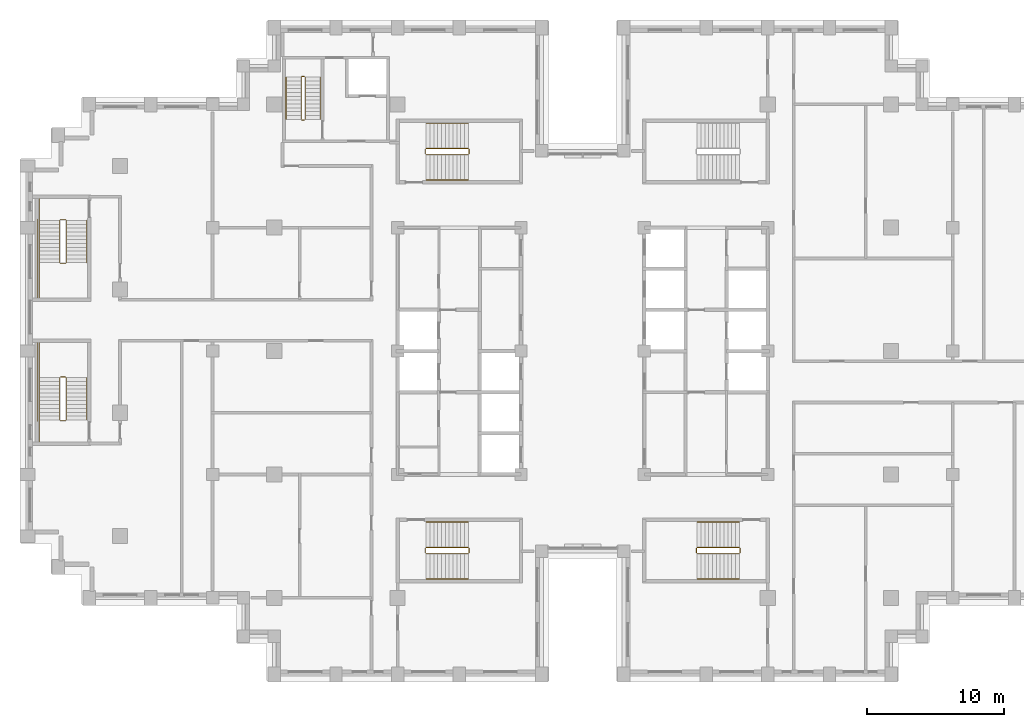
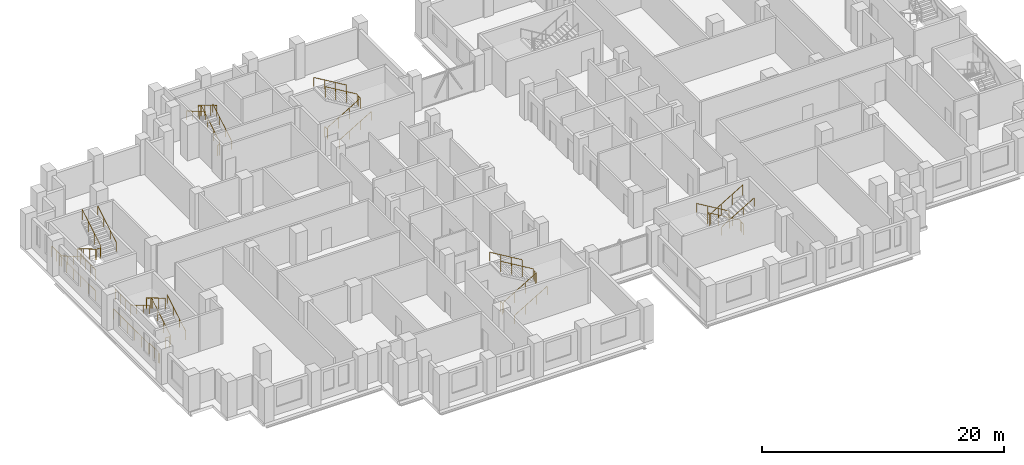
# One storey, part 15 of 16: 6 railings.
"""IFC4 building model written with IfcOpenShell, lengths in metres."""

from ifc_helpers import new_model, si_unit, direction, frame, origin, origin_2d, place, context, subcontext, project, spatial, circle, extrude, material, type_object, element, save


model = new_model("IFC4")

# Units and contexts
model_context = context("Model", 3, precision=1e-05, world=origin(), true_north=direction((0.0, 1.0)))
body_context = subcontext(model_context, "Body", "Model", "MODEL_VIEW")
ifc_project = project(units=[si_unit("LENGTHUNIT", "METRE"), si_unit("AREAUNIT", "SQUARE_METRE"), si_unit("VOLUMEUNIT", "CUBIC_METRE"), si_unit("PLANEANGLEUNIT", "RADIAN"), si_unit("MASSUNIT", "GRAM", prefix="KILO")], contexts=[model_context])

# Site, building, storey
site_placement = place(None, origin())
site = spatial("IfcSite", under=ifc_project, at=site_placement, CompositionType="ELEMENT")
building_placement = place(site_placement, origin())
building = spatial("IfcBuilding", under=site, at=building_placement, Name="Corbelhall Arena Tower", CompositionType="ELEMENT")
storey_placement = place(building_placement, frame((0.0, 0.0, 174.0)))
storey = spatial("IfcBuildingStorey", under=building, at=storey_placement, Name="L35", CompositionType="ELEMENT", Elevation=174.0)

# Railings
ifc_material = material(Name="Steel ASTM A500 Gr C", Category="steel")
railing_type = type_object("IfcRailingType", Name="IN-GD-1100", PredefinedType="GUARDRAIL", material=ifc_material)
railing_1_placement = place(storey_placement, frame((-11.425048828125, 14.324951171875, 0.166748046875)))
element("IfcRailing", 1, at=railing_1_placement, inside=storey, type_object=railing_type, Name="L35 ST1 stair guards and handrails", PredefinedType="GUARDRAIL", context=body_context, shape_type="SweptSolid", body=[
    extrude(circle(Radius=0.02392578125, at=origin_2d()), frame((0.0, 0.0, 1.076171875), z_axis=(0.859308565015, 0.0, 0.511457515432), x_axis=(0.0, 1.0, 0.0)), (0.0, 0.0, 1.0), 3.58447265625),
    extrude(circle(Radius=0.02392578125, at=origin_2d()), frame((3.130126953125, 0.050048828125, 2.9091796875), z_axis=(0.0, 1.0, 0.0), x_axis=(-1.0, 0.0, 0.0)), (0.0, 0.0, 1.0), 0.35009765625),
    extrude(circle(Radius=0.02392578125, at=origin_2d()), frame((3.080078125, 0.449951171875, 3.076171875), z_axis=(-0.859308565015, 0.0, 0.511457515432), x_axis=(0.0, -1.0, 0.0)), (0.0, 0.0, 1.0), 3.58447265625),
    extrude(circle(Radius=0.02392578125, at=origin_2d()), frame((-0.050048828125, 0.050048828125, 0.9091796875), z_axis=(0.0, 1.0, 0.0), x_axis=(-1.0, 0.0, 0.0)), (0.0, 0.0, 1.0), 0.35009765625),
    extrude(circle(Radius=0.02392578125, at=origin_2d()), frame((0.0, -1.849853515625, 0.8759765625), z_axis=(0.859308565015, 0.0, 0.511457515432), x_axis=(0.0, 1.0, 0.0)), (0.0, 0.0, 1.0), 3.58447265625),
    extrude(circle(Radius=0.02392578125, at=origin_2d()), frame((3.080078125, 2.300048828125, 2.8759765625), z_axis=(-0.859308565015, 0.0, 0.511457515432), x_axis=(0.0, -1.0, 0.0)), (0.0, 0.0, 1.0), 3.58447265625),
    extrude(circle(Radius=0.02099609375, at=origin_2d()), origin(), (0.0, 0.0, 1.0), 1.052001953125),
    extrude(circle(Radius=0.02099609375, at=origin_2d()), frame((1.026611328125, 0.0, 0.611083984375)), (0.0, 0.0, 1.0), 1.052001953125),
    extrude(circle(Radius=0.02099609375, at=origin_2d()), frame((2.053466796875, 0.0, 1.22216796875)), (0.0, 0.0, 1.0), 1.052001953125),
    extrude(circle(Radius=0.02099609375, at=origin_2d()), frame((3.080078125, 0.0, 1.833251953125)), (0.0, 0.0, 1.0), 1.052001953125),
    extrude(circle(Radius=0.02099609375, at=origin_2d()), frame((3.130126953125, 0.050048828125, 1.833251953125)), (0.0, 0.0, 1.0), 1.052001953125),
    extrude(circle(Radius=0.02099609375, at=origin_2d()), frame((3.130126953125, 0.400146484375, 1.833251953125)), (0.0, 0.0, 1.0), 1.052001953125),
    extrude(circle(Radius=0.02099609375, at=origin_2d()), frame((3.080078125, 0.449951171875, 2.0)), (0.0, 0.0, 1.0), 1.052001953125),
    extrude(circle(Radius=0.02099609375, at=origin_2d()), frame((2.053466796875, 0.449951171875, 2.611083984375)), (0.0, 0.0, 1.0), 1.052001953125),
    extrude(circle(Radius=0.02099609375, at=origin_2d()), frame((1.026611328125, 0.449951171875, 3.22216796875)), (0.0, 0.0, 1.0), 1.052001953125),
    extrude(circle(Radius=0.02099609375, at=origin_2d()), frame((0.0, 0.449951171875, 3.833251953125)), (0.0, 0.0, 1.0), 1.052001953125),
    extrude(circle(Radius=0.02099609375, at=origin_2d()), frame((-0.050048828125, 0.050048828125, -0.166748046875)), (0.0, 0.0, 1.0), 1.052001953125),
    extrude(circle(Radius=0.02099609375, at=origin_2d()), frame((-0.050048828125, 0.400146484375, -0.166748046875)), (0.0, 0.0, 1.0), 1.052001953125),
    extrude(circle(Radius=0.02099609375, at=origin_2d()), frame((0.0, -1.849853515625, 0.0)), (0.0, 0.0, 1.0), 0.851806640625),
    extrude(circle(Radius=0.02099609375, at=origin_2d()), frame((1.026611328125, -1.849853515625, 0.611083984375)), (0.0, 0.0, 1.0), 0.851806640625),
    extrude(circle(Radius=0.02099609375, at=origin_2d()), frame((2.053466796875, -1.849853515625, 1.22216796875)), (0.0, 0.0, 1.0), 0.851806640625),
    extrude(circle(Radius=0.02099609375, at=origin_2d()), frame((3.080078125, -1.849853515625, 1.833251953125)), (0.0, 0.0, 1.0), 0.851806640625),
    extrude(circle(Radius=0.02099609375, at=origin_2d()), frame((3.080078125, 2.300048828125, 2.0)), (0.0, 0.0, 1.0), 0.851806640625),
    extrude(circle(Radius=0.02099609375, at=origin_2d()), frame((2.053466796875, 2.300048828125, 2.611083984375)), (0.0, 0.0, 1.0), 0.851806640625),
    extrude(circle(Radius=0.02099609375, at=origin_2d()), frame((1.026611328125, 2.300048828125, 3.22216796875)), (0.0, 0.0, 1.0), 0.851806640625),
    extrude(circle(Radius=0.02099609375, at=origin_2d()), frame((0.0, 2.300048828125, 3.833251953125)), (0.0, 0.0, 1.0), 0.851806640625),
])
railing_2_placement = place(storey_placement, frame((-11.425048828125, -14.77490234375, 0.166748046875)))
element("IfcRailing", 2, at=railing_2_placement, inside=storey, type_object=railing_type, Name="L35 ST2 stair guards and handrails", PredefinedType="GUARDRAIL", context=body_context, shape_type="SweptSolid", body=[
    extrude(circle(Radius=0.02392578125, at=origin_2d()), frame((0.0, 0.0, 1.076171875), z_axis=(0.859308565015, 0.0, 0.511457515432), x_axis=(0.0, 1.0, 0.0)), (0.0, 0.0, 1.0), 3.58447265625),
    extrude(circle(Radius=0.02392578125, at=origin_2d()), frame((3.130126953125, 0.0498046875, 2.9091796875), z_axis=(0.0, 1.0, 0.0), x_axis=(-1.0, 0.0, 0.0)), (0.0, 0.0, 1.0), 0.35009765625),
    extrude(circle(Radius=0.02392578125, at=origin_2d()), frame((3.080078125, 0.449951171875, 3.076171875), z_axis=(-0.859308565015, 0.0, 0.511457515432), x_axis=(0.0, -1.0, 0.0)), (0.0, 0.0, 1.0), 3.58447265625),
    extrude(circle(Radius=0.02392578125, at=origin_2d()), frame((-0.050048828125, 0.0498046875, 0.9091796875), z_axis=(0.0, 1.0, 0.0), x_axis=(-1.0, 0.0, 0.0)), (0.0, 0.0, 1.0), 0.35009765625),
    extrude(circle(Radius=0.02392578125, at=origin_2d()), frame((0.0, -1.85009765625, 0.8759765625), z_axis=(0.859308565015, 0.0, 0.511457515432), x_axis=(0.0, 1.0, 0.0)), (0.0, 0.0, 1.0), 3.58447265625),
    extrude(circle(Radius=0.02392578125, at=origin_2d()), frame((3.080078125, 2.2998046875, 2.8759765625), z_axis=(-0.859308565015, 0.0, 0.511457515432), x_axis=(0.0, -1.0, 0.0)), (0.0, 0.0, 1.0), 3.58447265625),
    extrude(circle(Radius=0.02099609375, at=origin_2d()), origin(), (0.0, 0.0, 1.0), 1.052001953125),
    extrude(circle(Radius=0.02099609375, at=origin_2d()), frame((1.026611328125, 0.0, 0.611083984375)), (0.0, 0.0, 1.0), 1.052001953125),
    extrude(circle(Radius=0.02099609375, at=origin_2d()), frame((2.053466796875, 0.0, 1.22216796875)), (0.0, 0.0, 1.0), 1.052001953125),
    extrude(circle(Radius=0.02099609375, at=origin_2d()), frame((3.080078125, 0.0, 1.833251953125)), (0.0, 0.0, 1.0), 1.052001953125),
    extrude(circle(Radius=0.02099609375, at=origin_2d()), frame((3.130126953125, 0.0498046875, 1.833251953125)), (0.0, 0.0, 1.0), 1.052001953125),
    extrude(circle(Radius=0.02099609375, at=origin_2d()), frame((3.130126953125, 0.39990234375, 1.833251953125)), (0.0, 0.0, 1.0), 1.052001953125),
    extrude(circle(Radius=0.02099609375, at=origin_2d()), frame((3.080078125, 0.449951171875, 2.0)), (0.0, 0.0, 1.0), 1.052001953125),
    extrude(circle(Radius=0.02099609375, at=origin_2d()), frame((2.053466796875, 0.449951171875, 2.611083984375)), (0.0, 0.0, 1.0), 1.052001953125),
    extrude(circle(Radius=0.02099609375, at=origin_2d()), frame((1.026611328125, 0.449951171875, 3.22216796875)), (0.0, 0.0, 1.0), 1.052001953125),
    extrude(circle(Radius=0.02099609375, at=origin_2d()), frame((0.0, 0.449951171875, 3.833251953125)), (0.0, 0.0, 1.0), 1.052001953125),
    extrude(circle(Radius=0.02099609375, at=origin_2d()), frame((-0.050048828125, 0.0498046875, -0.166748046875)), (0.0, 0.0, 1.0), 1.052001953125),
    extrude(circle(Radius=0.02099609375, at=origin_2d()), frame((-0.050048828125, 0.39990234375, -0.166748046875)), (0.0, 0.0, 1.0), 1.052001953125),
    extrude(circle(Radius=0.02099609375, at=origin_2d()), frame((0.0, -1.85009765625, 0.0)), (0.0, 0.0, 1.0), 0.851806640625),
    extrude(circle(Radius=0.02099609375, at=origin_2d()), frame((1.026611328125, -1.85009765625, 0.611083984375)), (0.0, 0.0, 1.0), 0.851806640625),
    extrude(circle(Radius=0.02099609375, at=origin_2d()), frame((2.053466796875, -1.85009765625, 1.22216796875)), (0.0, 0.0, 1.0), 0.851806640625),
    extrude(circle(Radius=0.02099609375, at=origin_2d()), frame((3.080078125, -1.85009765625, 1.833251953125)), (0.0, 0.0, 1.0), 0.851806640625),
    extrude(circle(Radius=0.02099609375, at=origin_2d()), frame((3.080078125, 2.2998046875, 2.0)), (0.0, 0.0, 1.0), 0.851806640625),
    extrude(circle(Radius=0.02099609375, at=origin_2d()), frame((2.053466796875, 2.2998046875, 2.611083984375)), (0.0, 0.0, 1.0), 0.851806640625),
    extrude(circle(Radius=0.02099609375, at=origin_2d()), frame((1.026611328125, 2.2998046875, 3.22216796875)), (0.0, 0.0, 1.0), 0.851806640625),
    extrude(circle(Radius=0.02099609375, at=origin_2d()), frame((0.0, 2.2998046875, 3.833251953125)), (0.0, 0.0, 1.0), 0.851806640625),
])
railing_3_placement = place(storey_placement, frame((11.425048828125, -14.324951171875, 0.166748046875)))
element("IfcRailing", 3, at=railing_3_placement, inside=storey, type_object=railing_type, Name="L35 ST4 stair guards and handrails", PredefinedType="GUARDRAIL", context=body_context, shape_type="SweptSolid", body=[
    extrude(circle(Radius=0.02392578125, at=origin_2d()), frame((0.0, 0.0, 1.076171875), z_axis=(-0.859308565015, 0.0, 0.511457515432), x_axis=(0.0, -1.0, 0.0)), (0.0, 0.0, 1.0), 3.58447265625),
    extrude(circle(Radius=0.02392578125, at=origin_2d()), frame((-3.130126953125, -0.050048828125, 2.9091796875), z_axis=(0.0, -1.0, 0.0), x_axis=(1.0, 0.0, 0.0)), (0.0, 0.0, 1.0), 0.35009765625),
    extrude(circle(Radius=0.02392578125, at=origin_2d()), frame((-3.080078125, -0.449951171875, 3.076171875), z_axis=(0.859308565015, 0.0, 0.511457515432), x_axis=(0.0, 1.0, 0.0)), (0.0, 0.0, 1.0), 3.58447265625),
    extrude(circle(Radius=0.02392578125, at=origin_2d()), frame((0.050048828125, -0.050048828125, 0.9091796875), z_axis=(0.0, -1.0, 0.0), x_axis=(1.0, 0.0, 0.0)), (0.0, 0.0, 1.0), 0.35009765625),
    extrude(circle(Radius=0.02392578125, at=origin_2d()), frame((0.0, 1.849853515625, 0.8759765625), z_axis=(-0.859308565015, 0.0, 0.511457515432), x_axis=(0.0, -1.0, 0.0)), (0.0, 0.0, 1.0), 3.58447265625),
    extrude(circle(Radius=0.02392578125, at=origin_2d()), frame((-3.080078125, -2.300048828125, 2.8759765625), z_axis=(0.859308565015, 0.0, 0.511457515432), x_axis=(0.0, 1.0, 0.0)), (0.0, 0.0, 1.0), 3.58447265625),
    extrude(circle(Radius=0.02099609375, at=origin_2d()), origin(), (0.0, 0.0, 1.0), 1.052001953125),
    extrude(circle(Radius=0.02099609375, at=origin_2d()), frame((-1.026611328125, 0.0, 0.611083984375)), (0.0, 0.0, 1.0), 1.052001953125),
    extrude(circle(Radius=0.02099609375, at=origin_2d()), frame((-2.053466796875, 0.0, 1.22216796875)), (0.0, 0.0, 1.0), 1.052001953125),
    extrude(circle(Radius=0.02099609375, at=origin_2d()), frame((-3.080078125, 0.0, 1.833251953125)), (0.0, 0.0, 1.0), 1.052001953125),
    extrude(circle(Radius=0.02099609375, at=origin_2d()), frame((-3.130126953125, -0.050048828125, 1.833251953125)), (0.0, 0.0, 1.0), 1.052001953125),
    extrude(circle(Radius=0.02099609375, at=origin_2d()), frame((-3.130126953125, -0.400146484375, 1.833251953125)), (0.0, 0.0, 1.0), 1.052001953125),
    extrude(circle(Radius=0.02099609375, at=origin_2d()), frame((-3.080078125, -0.449951171875, 2.0)), (0.0, 0.0, 1.0), 1.052001953125),
    extrude(circle(Radius=0.02099609375, at=origin_2d()), frame((-2.053466796875, -0.449951171875, 2.611083984375)), (0.0, 0.0, 1.0), 1.052001953125),
    extrude(circle(Radius=0.02099609375, at=origin_2d()), frame((-1.026611328125, -0.449951171875, 3.22216796875)), (0.0, 0.0, 1.0), 1.052001953125),
    extrude(circle(Radius=0.02099609375, at=origin_2d()), frame((0.0, -0.449951171875, 3.833251953125)), (0.0, 0.0, 1.0), 1.052001953125),
    extrude(circle(Radius=0.02099609375, at=origin_2d()), frame((0.050048828125, -0.050048828125, -0.166748046875)), (0.0, 0.0, 1.0), 1.052001953125),
    extrude(circle(Radius=0.02099609375, at=origin_2d()), frame((0.050048828125, -0.400146484375, -0.166748046875)), (0.0, 0.0, 1.0), 1.052001953125),
    extrude(circle(Radius=0.02099609375, at=origin_2d()), frame((0.0, 1.849853515625, 0.0)), (0.0, 0.0, 1.0), 0.851806640625),
    extrude(circle(Radius=0.02099609375, at=origin_2d()), frame((-1.026611328125, 1.849853515625, 0.611083984375)), (0.0, 0.0, 1.0), 0.851806640625),
    extrude(circle(Radius=0.02099609375, at=origin_2d()), frame((-2.053466796875, 1.849853515625, 1.22216796875)), (0.0, 0.0, 1.0), 0.851806640625),
    extrude(circle(Radius=0.02099609375, at=origin_2d()), frame((-3.080078125, 1.849853515625, 1.833251953125)), (0.0, 0.0, 1.0), 0.851806640625),
    extrude(circle(Radius=0.02099609375, at=origin_2d()), frame((-3.080078125, -2.300048828125, 2.0)), (0.0, 0.0, 1.0), 0.851806640625),
    extrude(circle(Radius=0.02099609375, at=origin_2d()), frame((-2.053466796875, -2.300048828125, 2.611083984375)), (0.0, 0.0, 1.0), 0.851806640625),
    extrude(circle(Radius=0.02099609375, at=origin_2d()), frame((-1.026611328125, -2.300048828125, 3.22216796875)), (0.0, 0.0, 1.0), 0.851806640625),
    extrude(circle(Radius=0.02099609375, at=origin_2d()), frame((0.0, -2.300048828125, 3.833251953125)), (0.0, 0.0, 1.0), 0.851806640625),
])
railing_4_placement = place(storey_placement, frame((-38.14990234375, 9.52490234375, 0.166748046875)))
element("IfcRailing", 4, at=railing_4_placement, inside=storey, type_object=railing_type, Name="L35 SC1 stair guards and handrails", PredefinedType="GUARDRAIL", context=body_context, shape_type="SweptSolid", body=[
    extrude(circle(Radius=0.02392578125, at=origin_2d()), frame((0.0, 0.0, 1.076171875), z_axis=(0.0, -0.859290745958, 0.51148745235), x_axis=(1.0, 0.0, 0.0)), (0.0, 0.0, 1.0), 3.584228515625),
    extrude(circle(Radius=0.02392578125, at=origin_2d()), frame((0.0498046875, -3.1298828125, 2.9091796875), z_axis=(1.0, 0.0, 0.0), x_axis=(0.0, 1.0, 0.0)), (0.0, 0.0, 1.0), 0.375),
    extrude(circle(Radius=0.02392578125, at=origin_2d()), frame((-1.5, -3.079833984375, 2.9091796875), z_axis=(0.0, -1.0, 0.0), x_axis=(1.0, 0.0, 0.0)), (0.0, 0.0, 1.0), 2.570068359375),
    extrude(circle(Radius=0.02392578125, at=origin_2d()), frame((0.474853515625, -3.079833984375, 3.076171875), z_axis=(0.0, 0.859290745958, 0.51148745235), x_axis=(-1.0, 0.0, 0.0)), (0.0, 0.0, 1.0), 3.584228515625),
    extrude(circle(Radius=0.02392578125, at=origin_2d()), frame((0.0498046875, 0.050048828125, 0.9091796875), z_axis=(1.0, 0.0, 0.0), x_axis=(0.0, 1.0, 0.0)), (0.0, 0.0, 1.0), 0.375),
    extrude(circle(Radius=0.02392578125, at=origin_2d()), frame((-1.5, 1.60009765625, 0.9091796875), z_axis=(0.0, -1.0, 0.0), x_axis=(1.0, 0.0, 0.0)), (0.0, 0.0, 1.0), 1.60009765625),
    extrude(circle(Radius=0.02392578125, at=origin_2d()), frame((-1.60009765625, 0.10009765625, 0.9091796875), z_axis=(0.0, -1.0, 0.0), x_axis=(1.0, 0.0, 0.0)), (0.0, 0.0, 1.0), 5.85009765625),
    extrude(circle(Radius=0.02392578125, at=origin_2d()), frame((-1.5, 0.0, 0.8759765625), z_axis=(0.0, -0.859290745958, 0.51148745235), x_axis=(1.0, 0.0, 0.0)), (0.0, 0.0, 1.0), 3.584228515625),
    extrude(circle(Radius=0.02392578125, at=origin_2d()), frame((1.974853515625, -3.079833984375, 2.8759765625), z_axis=(0.0, 0.859290745958, 0.51148745235), x_axis=(-1.0, 0.0, 0.0)), (0.0, 0.0, 1.0), 3.584228515625),
    extrude(circle(Radius=0.02099609375, at=origin_2d()), origin(), (0.0, 0.0, 1.0), 1.052001953125),
    extrude(circle(Radius=0.02099609375, at=origin_2d()), frame((0.0, -1.026611328125, 0.611083984375)), (0.0, 0.0, 1.0), 1.052001953125),
    extrude(circle(Radius=0.02099609375, at=origin_2d()), frame((0.0, -2.05322265625, 1.22216796875)), (0.0, 0.0, 1.0), 1.052001953125),
    extrude(circle(Radius=0.02099609375, at=origin_2d()), frame((0.0, -3.079833984375, 1.833251953125)), (0.0, 0.0, 1.0), 1.052001953125),
    extrude(circle(Radius=0.02099609375, at=origin_2d()), frame((0.0498046875, -3.1298828125, 1.833251953125)), (0.0, 0.0, 1.0), 1.052001953125),
    extrude(circle(Radius=0.02099609375, at=origin_2d()), frame((0.4248046875, -3.1298828125, 1.833251953125)), (0.0, 0.0, 1.0), 1.052001953125),
    extrude(circle(Radius=0.02099609375, at=origin_2d()), frame((-1.5, -3.079833984375, 1.833251953125)), (0.0, 0.0, 1.0), 1.052001953125),
    extrude(circle(Radius=0.02099609375, at=origin_2d()), frame((-1.5, -3.9365234375, 1.833251953125)), (0.0, 0.0, 1.0), 1.052001953125),
    extrude(circle(Radius=0.02099609375, at=origin_2d()), frame((-1.5, -4.793212890625, 1.833251953125)), (0.0, 0.0, 1.0), 1.052001953125),
    extrude(circle(Radius=0.02099609375, at=origin_2d()), frame((-1.5, -5.64990234375, 1.833251953125)), (0.0, 0.0, 1.0), 1.052001953125),
    extrude(circle(Radius=0.02099609375, at=origin_2d()), frame((0.474853515625, -3.079833984375, 2.0)), (0.0, 0.0, 1.0), 1.052001953125),
    extrude(circle(Radius=0.02099609375, at=origin_2d()), frame((0.474853515625, -2.05322265625, 2.611083984375)), (0.0, 0.0, 1.0), 1.052001953125),
    extrude(circle(Radius=0.02099609375, at=origin_2d()), frame((0.474853515625, -1.026611328125, 3.22216796875)), (0.0, 0.0, 1.0), 1.052001953125),
    extrude(circle(Radius=0.02099609375, at=origin_2d()), frame((0.474853515625, 0.0, 3.833251953125)), (0.0, 0.0, 1.0), 1.052001953125),
    extrude(circle(Radius=0.02099609375, at=origin_2d()), frame((0.0498046875, 0.050048828125, -0.166748046875)), (0.0, 0.0, 1.0), 1.052001953125),
    extrude(circle(Radius=0.02099609375, at=origin_2d()), frame((0.4248046875, 0.050048828125, -0.166748046875)), (0.0, 0.0, 1.0), 1.052001953125),
    extrude(circle(Radius=0.02099609375, at=origin_2d()), frame((-1.5, 1.60009765625, -0.166748046875)), (0.0, 0.0, 1.0), 1.052001953125),
    extrude(circle(Radius=0.02099609375, at=origin_2d()), frame((-1.5, 0.800048828125, -0.166748046875)), (0.0, 0.0, 1.0), 1.052001953125),
    extrude(circle(Radius=0.02099609375, at=origin_2d()), frame((-1.5, 0.0, -0.166748046875)), (0.0, 0.0, 1.0), 1.052001953125),
    extrude(circle(Radius=0.02099609375, at=origin_2d()), frame((-1.60009765625, 0.10009765625, -0.166748046875)), (0.0, 0.0, 1.0), 1.052001953125),
    extrude(circle(Radius=0.02099609375, at=origin_2d()), frame((-1.60009765625, -1.06982421875, -0.166748046875)), (0.0, 0.0, 1.0), 1.052001953125),
    extrude(circle(Radius=0.02099609375, at=origin_2d()), frame((-1.60009765625, -2.239990234375, -0.166748046875)), (0.0, 0.0, 1.0), 1.052001953125),
    extrude(circle(Radius=0.02099609375, at=origin_2d()), frame((-1.60009765625, -3.409912109375, -0.166748046875)), (0.0, 0.0, 1.0), 1.052001953125),
    extrude(circle(Radius=0.02099609375, at=origin_2d()), frame((-1.60009765625, -4.580078125, -0.166748046875)), (0.0, 0.0, 1.0), 1.052001953125),
    extrude(circle(Radius=0.02099609375, at=origin_2d()), frame((-1.60009765625, -5.75, -0.166748046875)), (0.0, 0.0, 1.0), 1.052001953125),
    extrude(circle(Radius=0.02099609375, at=origin_2d()), frame((-1.5, 0.0, 0.0)), (0.0, 0.0, 1.0), 0.851806640625),
    extrude(circle(Radius=0.02099609375, at=origin_2d()), frame((-1.5, -1.026611328125, 0.611083984375)), (0.0, 0.0, 1.0), 0.851806640625),
    extrude(circle(Radius=0.02099609375, at=origin_2d()), frame((-1.5, -2.05322265625, 1.22216796875)), (0.0, 0.0, 1.0), 0.851806640625),
    extrude(circle(Radius=0.02099609375, at=origin_2d()), frame((1.974853515625, -3.079833984375, 2.0)), (0.0, 0.0, 1.0), 0.851806640625),
    extrude(circle(Radius=0.02099609375, at=origin_2d()), frame((1.974853515625, -2.05322265625, 2.611083984375)), (0.0, 0.0, 1.0), 0.851806640625),
    extrude(circle(Radius=0.02099609375, at=origin_2d()), frame((1.974853515625, -1.026611328125, 3.22216796875)), (0.0, 0.0, 1.0), 0.851806640625),
    extrude(circle(Radius=0.02099609375, at=origin_2d()), frame((1.974853515625, 0.0, 3.833251953125)), (0.0, 0.0, 1.0), 0.851806640625),
])
railing_5_placement = place(storey_placement, frame((-37.675048828125, -5.02490234375, 0.166748046875)))
element("IfcRailing", 5, at=railing_5_placement, inside=storey, type_object=railing_type, Name="L35 SC2 stair guards and handrails", PredefinedType="GUARDRAIL", context=body_context, shape_type="SweptSolid", body=[
    extrude(circle(Radius=0.02392578125, at=origin_2d()), frame((0.0, 0.0, 1.076171875), z_axis=(0.0, 0.859290745958, 0.51148745235), x_axis=(-1.0, 0.0, 0.0)), (0.0, 0.0, 1.0), 3.584228515625),
    extrude(circle(Radius=0.02392578125, at=origin_2d()), frame((-0.050048828125, 3.1298828125, 2.9091796875), z_axis=(-1.0, 0.0, 0.0), x_axis=(0.0, -1.0, 0.0)), (0.0, 0.0, 1.0), 0.375),
    extrude(circle(Radius=0.02392578125, at=origin_2d()), frame((-1.974853515625, 3.079833984375, 2.9091796875), z_axis=(0.0, 1.0, 0.0), x_axis=(-1.0, 0.0, 0.0)), (0.0, 0.0, 1.0), 2.570068359375),
    extrude(circle(Radius=0.02392578125, at=origin_2d()), frame((-0.474853515625, 3.079833984375, 3.076171875), z_axis=(0.0, -0.859290745958, 0.51148745235), x_axis=(1.0, 0.0, 0.0)), (0.0, 0.0, 1.0), 3.584228515625),
    extrude(circle(Radius=0.02392578125, at=origin_2d()), frame((-0.050048828125, -0.050048828125, 0.9091796875), z_axis=(-1.0, 0.0, 0.0), x_axis=(0.0, -1.0, 0.0)), (0.0, 0.0, 1.0), 0.375),
    extrude(circle(Radius=0.02392578125, at=origin_2d()), frame((-1.974853515625, -1.60009765625, 0.9091796875), z_axis=(0.0, 1.0, 0.0), x_axis=(-1.0, 0.0, 0.0)), (0.0, 0.0, 1.0), 1.60009765625),
    extrude(circle(Radius=0.02392578125, at=origin_2d()), frame((-2.074951171875, -0.10009765625, 0.9091796875), z_axis=(0.0, 1.0, 0.0), x_axis=(-1.0, 0.0, 0.0)), (0.0, 0.0, 1.0), 5.85009765625),
    extrude(circle(Radius=0.02392578125, at=origin_2d()), frame((1.5, 0.0, 0.8759765625), z_axis=(0.0, 0.859290745958, 0.51148745235), x_axis=(-1.0, 0.0, 0.0)), (0.0, 0.0, 1.0), 3.584228515625),
    extrude(circle(Radius=0.02392578125, at=origin_2d()), frame((-1.974853515625, 3.079833984375, 2.8759765625), z_axis=(0.0, -0.859290745958, 0.51148745235), x_axis=(1.0, 0.0, 0.0)), (0.0, 0.0, 1.0), 3.584228515625),
    extrude(circle(Radius=0.02099609375, at=origin_2d()), origin(), (0.0, 0.0, 1.0), 1.052001953125),
    extrude(circle(Radius=0.02099609375, at=origin_2d()), frame((0.0, 1.026611328125, 0.611083984375)), (0.0, 0.0, 1.0), 1.052001953125),
    extrude(circle(Radius=0.02099609375, at=origin_2d()), frame((0.0, 2.05322265625, 1.22216796875)), (0.0, 0.0, 1.0), 1.052001953125),
    extrude(circle(Radius=0.02099609375, at=origin_2d()), frame((0.0, 3.079833984375, 1.833251953125)), (0.0, 0.0, 1.0), 1.052001953125),
    extrude(circle(Radius=0.02099609375, at=origin_2d()), frame((-0.050048828125, 3.1298828125, 1.833251953125)), (0.0, 0.0, 1.0), 1.052001953125),
    extrude(circle(Radius=0.02099609375, at=origin_2d()), frame((-0.425048828125, 3.1298828125, 1.833251953125)), (0.0, 0.0, 1.0), 1.052001953125),
    extrude(circle(Radius=0.02099609375, at=origin_2d()), frame((-1.974853515625, 3.079833984375, 1.833251953125)), (0.0, 0.0, 1.0), 1.052001953125),
    extrude(circle(Radius=0.02099609375, at=origin_2d()), frame((-1.974853515625, 3.9365234375, 1.833251953125)), (0.0, 0.0, 1.0), 1.052001953125),
    extrude(circle(Radius=0.02099609375, at=origin_2d()), frame((-1.974853515625, 4.793212890625, 1.833251953125)), (0.0, 0.0, 1.0), 1.052001953125),
    extrude(circle(Radius=0.02099609375, at=origin_2d()), frame((-1.974853515625, 5.64990234375, 1.833251953125)), (0.0, 0.0, 1.0), 1.052001953125),
    extrude(circle(Radius=0.02099609375, at=origin_2d()), frame((-0.474853515625, 3.079833984375, 2.0)), (0.0, 0.0, 1.0), 1.052001953125),
    extrude(circle(Radius=0.02099609375, at=origin_2d()), frame((-0.474853515625, 2.05322265625, 2.611083984375)), (0.0, 0.0, 1.0), 1.052001953125),
    extrude(circle(Radius=0.02099609375, at=origin_2d()), frame((-0.474853515625, 1.026611328125, 3.22216796875)), (0.0, 0.0, 1.0), 1.052001953125),
    extrude(circle(Radius=0.02099609375, at=origin_2d()), frame((-0.474853515625, 0.0, 3.833251953125)), (0.0, 0.0, 1.0), 1.052001953125),
    extrude(circle(Radius=0.02099609375, at=origin_2d()), frame((-0.050048828125, -0.050048828125, -0.166748046875)), (0.0, 0.0, 1.0), 1.052001953125),
    extrude(circle(Radius=0.02099609375, at=origin_2d()), frame((-0.425048828125, -0.050048828125, -0.166748046875)), (0.0, 0.0, 1.0), 1.052001953125),
    extrude(circle(Radius=0.02099609375, at=origin_2d()), frame((-1.974853515625, -1.60009765625, -0.166748046875)), (0.0, 0.0, 1.0), 1.052001953125),
    extrude(circle(Radius=0.02099609375, at=origin_2d()), frame((-1.974853515625, -0.800048828125, -0.166748046875)), (0.0, 0.0, 1.0), 1.052001953125),
    extrude(circle(Radius=0.02099609375, at=origin_2d()), frame((-1.974853515625, 0.0, -0.166748046875)), (0.0, 0.0, 1.0), 1.052001953125),
    extrude(circle(Radius=0.02099609375, at=origin_2d()), frame((-2.074951171875, -0.10009765625, -0.166748046875)), (0.0, 0.0, 1.0), 1.052001953125),
    extrude(circle(Radius=0.02099609375, at=origin_2d()), frame((-2.074951171875, 1.06982421875, -0.166748046875)), (0.0, 0.0, 1.0), 1.052001953125),
    extrude(circle(Radius=0.02099609375, at=origin_2d()), frame((-2.074951171875, 2.239990234375, -0.166748046875)), (0.0, 0.0, 1.0), 1.052001953125),
    extrude(circle(Radius=0.02099609375, at=origin_2d()), frame((-2.074951171875, 3.409912109375, -0.166748046875)), (0.0, 0.0, 1.0), 1.052001953125),
    extrude(circle(Radius=0.02099609375, at=origin_2d()), frame((-2.074951171875, 4.580078125, -0.166748046875)), (0.0, 0.0, 1.0), 1.052001953125),
    extrude(circle(Radius=0.02099609375, at=origin_2d()), frame((-2.074951171875, 5.75, -0.166748046875)), (0.0, 0.0, 1.0), 1.052001953125),
    extrude(circle(Radius=0.02099609375, at=origin_2d()), frame((1.5, 0.0, 0.0)), (0.0, 0.0, 1.0), 0.851806640625),
    extrude(circle(Radius=0.02099609375, at=origin_2d()), frame((1.5, 1.026611328125, 0.611083984375)), (0.0, 0.0, 1.0), 0.851806640625),
    extrude(circle(Radius=0.02099609375, at=origin_2d()), frame((1.5, 2.05322265625, 1.22216796875)), (0.0, 0.0, 1.0), 0.851806640625),
    extrude(circle(Radius=0.02099609375, at=origin_2d()), frame((1.5, 3.079833984375, 1.833251953125)), (0.0, 0.0, 1.0), 0.851806640625),
    extrude(circle(Radius=0.02099609375, at=origin_2d()), frame((-1.974853515625, 3.079833984375, 2.0)), (0.0, 0.0, 1.0), 0.851806640625),
    extrude(circle(Radius=0.02099609375, at=origin_2d()), frame((-1.974853515625, 2.05322265625, 2.611083984375)), (0.0, 0.0, 1.0), 0.851806640625),
    extrude(circle(Radius=0.02099609375, at=origin_2d()), frame((-1.974853515625, 1.026611328125, 3.22216796875)), (0.0, 0.0, 1.0), 0.851806640625),
    extrude(circle(Radius=0.02099609375, at=origin_2d()), frame((-1.974853515625, 0.0, 3.833251953125)), (0.0, 0.0, 1.0), 0.851806640625),
])
railing_6_placement = place(storey_placement, frame((-20.2451171875, 16.89990234375, 0.166748046875)))
element("IfcRailing", 6, at=railing_6_placement, inside=storey, type_object=railing_type, Name="L35 ST5 stair guards and handrails", PredefinedType="GUARDRAIL", context=body_context, shape_type="SweptSolid", body=[
    extrude(circle(Radius=0.02392578125, at=origin_2d()), frame((0.0, 0.0, 1.076171875), z_axis=(0.0, 0.859308565015, 0.511457515432), x_axis=(-1.0, 0.0, 0.0)), (0.0, 0.0, 1.0), 3.58447265625),
    extrude(circle(Radius=0.02392578125, at=origin_2d()), frame((-0.0498046875, 3.130126953125, 2.9091796875), z_axis=(-1.0, 0.0, 0.0), x_axis=(0.0, -1.0, 0.0)), (0.0, 0.0, 1.0), 0.2001953125),
    extrude(circle(Radius=0.02392578125, at=origin_2d()), frame((-0.2998046875, 3.080078125, 3.076171875), z_axis=(0.0, -0.859308565015, 0.511457515432), x_axis=(1.0, 0.0, 0.0)), (0.0, 0.0, 1.0), 3.58447265625),
    extrude(circle(Radius=0.02392578125, at=origin_2d()), frame((-0.0498046875, -0.0498046875, 0.9091796875), z_axis=(-1.0, 0.0, 0.0), x_axis=(0.0, -1.0, 0.0)), (0.0, 0.0, 1.0), 0.2001953125),
    extrude(circle(Radius=0.02392578125, at=origin_2d()), frame((1.10009765625, 0.0, 0.8759765625), z_axis=(0.0, 0.859308565015, 0.511457515432), x_axis=(-1.0, 0.0, 0.0)), (0.0, 0.0, 1.0), 3.58447265625),
    extrude(circle(Radius=0.02392578125, at=origin_2d()), frame((-1.39990234375, 3.080078125, 2.8759765625), z_axis=(0.0, -0.859308565015, 0.511457515432), x_axis=(1.0, 0.0, 0.0)), (0.0, 0.0, 1.0), 3.58447265625),
    extrude(circle(Radius=0.02099609375, at=origin_2d()), origin(), (0.0, 0.0, 1.0), 1.052001953125),
    extrude(circle(Radius=0.02099609375, at=origin_2d()), frame((0.0, 1.026611328125, 0.611083984375)), (0.0, 0.0, 1.0), 1.052001953125),
    extrude(circle(Radius=0.02099609375, at=origin_2d()), frame((0.0, 2.053466796875, 1.22216796875)), (0.0, 0.0, 1.0), 1.052001953125),
    extrude(circle(Radius=0.02099609375, at=origin_2d()), frame((0.0, 3.080078125, 1.833251953125)), (0.0, 0.0, 1.0), 1.052001953125),
    extrude(circle(Radius=0.02099609375, at=origin_2d()), frame((-0.0498046875, 3.130126953125, 1.833251953125)), (0.0, 0.0, 1.0), 1.052001953125),
    extrude(circle(Radius=0.02099609375, at=origin_2d()), frame((-0.25, 3.130126953125, 1.833251953125)), (0.0, 0.0, 1.0), 1.052001953125),
    extrude(circle(Radius=0.02099609375, at=origin_2d()), frame((-0.2998046875, 3.080078125, 2.0)), (0.0, 0.0, 1.0), 1.052001953125),
    extrude(circle(Radius=0.02099609375, at=origin_2d()), frame((-0.2998046875, 2.053466796875, 2.611083984375)), (0.0, 0.0, 1.0), 1.052001953125),
    extrude(circle(Radius=0.02099609375, at=origin_2d()), frame((-0.2998046875, 1.026611328125, 3.22216796875)), (0.0, 0.0, 1.0), 1.052001953125),
    extrude(circle(Radius=0.02099609375, at=origin_2d()), frame((-0.2998046875, 0.0, 3.833251953125)), (0.0, 0.0, 1.0), 1.052001953125),
    extrude(circle(Radius=0.02099609375, at=origin_2d()), frame((-0.0498046875, -0.0498046875, -0.166748046875)), (0.0, 0.0, 1.0), 1.052001953125),
    extrude(circle(Radius=0.02099609375, at=origin_2d()), frame((-0.25, -0.0498046875, -0.166748046875)), (0.0, 0.0, 1.0), 1.052001953125),
    extrude(circle(Radius=0.02099609375, at=origin_2d()), frame((1.10009765625, 0.0, 0.0)), (0.0, 0.0, 1.0), 0.851806640625),
    extrude(circle(Radius=0.02099609375, at=origin_2d()), frame((1.10009765625, 1.026611328125, 0.611083984375)), (0.0, 0.0, 1.0), 0.851806640625),
    extrude(circle(Radius=0.02099609375, at=origin_2d()), frame((1.10009765625, 2.053466796875, 1.22216796875)), (0.0, 0.0, 1.0), 0.851806640625),
    extrude(circle(Radius=0.02099609375, at=origin_2d()), frame((1.10009765625, 3.080078125, 1.833251953125)), (0.0, 0.0, 1.0), 0.851806640625),
    extrude(circle(Radius=0.02099609375, at=origin_2d()), frame((-1.39990234375, 3.080078125, 2.0)), (0.0, 0.0, 1.0), 0.851806640625),
    extrude(circle(Radius=0.02099609375, at=origin_2d()), frame((-1.39990234375, 2.053466796875, 2.611083984375)), (0.0, 0.0, 1.0), 0.851806640625),
    extrude(circle(Radius=0.02099609375, at=origin_2d()), frame((-1.39990234375, 1.026611328125, 3.22216796875)), (0.0, 0.0, 1.0), 0.851806640625),
    extrude(circle(Radius=0.02099609375, at=origin_2d()), frame((-1.39990234375, 0.0, 3.833251953125)), (0.0, 0.0, 1.0), 0.851806640625),
])

save(model, "model.ifc")
